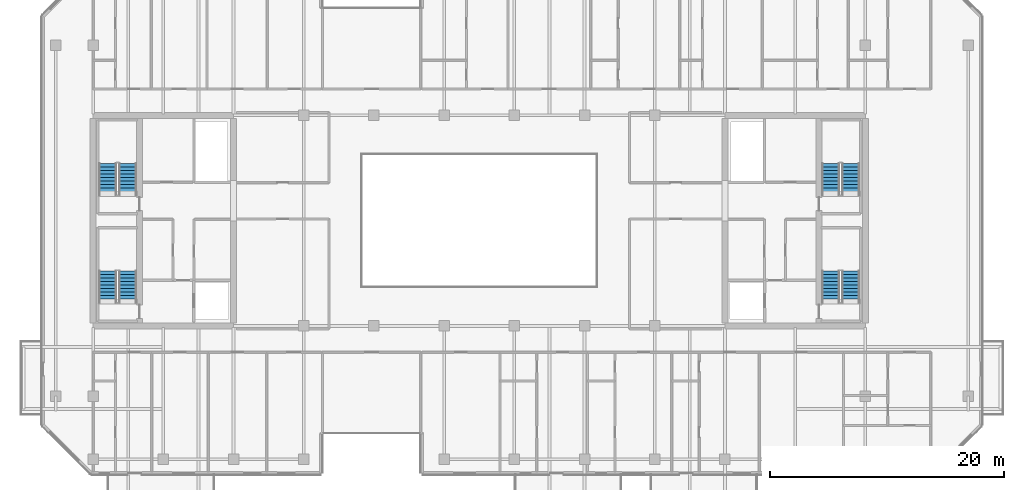
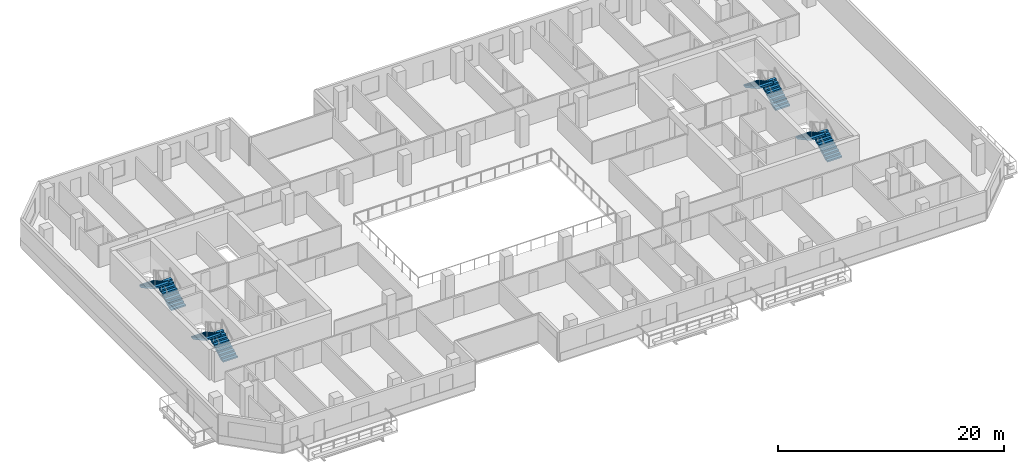
# One storey, part 15 of 19: 8 stair flights, 4 elements without a shape of their own.
"""IFC4 building model written with IfcOpenShell, lengths in metres."""

import ifcopenshell
import ifcopenshell.guid

model = None  # the IFC model being written
_history = None  # IfcOwnerHistory: only IFC2X3 demands one
_inside = {}  # id of a spatial element -> (the spatial element, [elements in it])
_under = {}  # id of a project, library or spatial element -> (it, [spatial elements below it])
_declared = {}  # id of a project -> (the project, [libraries it declares])
_typed = {}  # id of a type object -> (the type object, [elements of that type])
_made_of = {}  # id of a material, layer set ... -> (it, [elements and type objects made of it])


def new_model(schema):
    """Start an empty IFC model of exactly this schema.

    Asked for "IFC4X3", IfcOpenShell would pick the latest addendum, in which some entities
    have other attributes; the version numbers below select the first issue.
    IFC2X3 requires an IfcOwnerHistory on every rooted entity: one is made here for all.
    """
    global model, _history
    if schema == "IFC4X3":
        model = ifcopenshell.file(schema_version=(4, 3, 0, 0))
    else:
        model = ifcopenshell.file(schema=schema)
    _inside.clear()
    _under.clear()
    _declared.clear()
    _typed.clear()
    _made_of.clear()
    _history = None
    if model.schema == "IFC2X3":
        org = make("IfcOrganization", Name="unknown")
        user = make(
            "IfcPersonAndOrganization",
            ThePerson=make("IfcPerson", FamilyName="unknown"),
            TheOrganization=org,
        )
        app = make(
            "IfcApplication",
            ApplicationDeveloper=org,
            Version="unknown",
            ApplicationFullName="unknown",
            ApplicationIdentifier="unknown",
        )
        _history = make(
            "IfcOwnerHistory",
            OwningUser=user,
            OwningApplication=app,
            ChangeAction="ADDED",
            CreationDate=0,
        )
    return model


def make(cls, **values):
    """One entity of the class cls with the attributes given. An attribute that is None is left unset."""
    return model.create_entity(
        cls, **{name: value for name, value in values.items() if value is not None}
    )


def rooted(cls, **values):
    """An entity with a GlobalId (a new one), such as an element, a storey or a relation."""
    return make(cls, GlobalId=ifcopenshell.guid.new(), OwnerHistory=_history, **values)


def si_unit(unit_type, name, prefix=None):
    """IfcSIUnit, for example si_unit("LENGTHUNIT", "METRE", prefix="MILLI")."""
    return make("IfcSIUnit", UnitType=unit_type, Prefix=prefix, Name=name)


def assignment(units):
    """IfcUnitAssignment: the units of a project."""
    return None if units is None else make("IfcUnitAssignment", Units=units)


def point(xyz):
    """IfcCartesianPoint."""
    return None if xyz is None else make("IfcCartesianPoint", Coordinates=xyz)


def direction(xyz):
    """IfcDirection."""
    return None if xyz is None else make("IfcDirection", DirectionRatios=xyz)


def frame(location, z_axis=None, x_axis=None):
    """IfcAxis2Placement3D, a coordinate frame: its origin and axes. An axis left out is left unset."""
    return make(
        "IfcAxis2Placement3D",
        Location=point(location),
        Axis=direction(z_axis),
        RefDirection=direction(x_axis),
    )


def origin():
    """The frame at (0, 0, 0) with its axes left unset."""
    return frame((0.0, 0.0, 0.0))


def place(relative_to, where):
    """IfcLocalPlacement: puts the frame where relative to a parent placement (None: the world)."""
    return make(
        "IfcLocalPlacement", PlacementRelTo=relative_to, RelativePlacement=where
    )


def context(
    kind, dimensions, precision=None, world=None, true_north=None, identifier=None
):
    """IfcGeometricRepresentationContext, for example the 3D "Model" context."""
    return make(
        "IfcGeometricRepresentationContext",
        ContextIdentifier=identifier,
        ContextType=kind,
        CoordinateSpaceDimension=dimensions,
        Precision=precision,
        WorldCoordinateSystem=world,
        TrueNorth=true_north,
    )


def subcontext(parent, identifier, kind, view, scale=None):
    """IfcGeometricRepresentationSubContext, for example "Body" below "Model"."""
    return make(
        "IfcGeometricRepresentationSubContext",
        ContextIdentifier=identifier,
        ContextType=kind,
        ParentContext=parent,
        TargetScale=scale,
        TargetView=view,
    )


def project(units=None, contexts=None):
    """IfcProject with its units and contexts."""
    return rooted(
        "IfcProject",
        Name="project",
        RepresentationContexts=contexts,
        UnitsInContext=assignment(units),
    )


def spatial(cls, under=None, at=None, **own):
    """A site, building, storey or space (cls), placed at a placement, below another one or the project."""
    s = rooted(cls, ObjectPlacement=at, **own)
    if under is not None:
        _under.setdefault(under.id(), (under, []))[1].append(s)
    return s


def polyline(points):
    """IfcPolyline through the points."""
    return make("IfcPolyline", Points=[point(p) for p in points])


def outline(outer, holes=None, kind="AREA"):
    """IfcArbitraryClosedProfileDef: a profile drawn as a closed curve; with holes, ...WithVoids."""
    if holes is None:
        return make("IfcArbitraryClosedProfileDef", ProfileType=kind, OuterCurve=outer)
    return make(
        "IfcArbitraryProfileDefWithVoids",
        ProfileType=kind,
        OuterCurve=outer,
        InnerCurves=holes,
    )


def extrude(swept, where, along, depth):
    """IfcExtrudedAreaSolid: the profile swept, set in the frame where, extruded along a direction by depth."""
    return make(
        "IfcExtrudedAreaSolid",
        SweptArea=swept,
        Position=where,
        ExtrudedDirection=direction(along),
        Depth=depth,
    )


def shape(context_of_items, identifier, shape_type, items):
    """IfcShapeRepresentation: the items that make up one representation, for example the "Body"."""
    return make(
        "IfcShapeRepresentation",
        ContextOfItems=context_of_items,
        RepresentationIdentifier=identifier,
        RepresentationType=shape_type,
        Items=items,
    )


def material(Name=None, Category=None):
    """IfcMaterial."""
    return make("IfcMaterial", Name=Name, Category=Category)


def made_of(thing, what):
    """Note that an element or type object is made of a material, layer set ...; save() writes the relation."""
    if what is not None:
        _made_of.setdefault(what.id(), (what, []))[1].append(thing)
    return thing


def type_object(cls, material=None, **own):
    """A type object (cls), such as IfcWallType, which elements share."""
    return made_of(rooted(cls, **own), material)


def element(
    cls,
    number,
    at=None,
    inside=None,
    cuts=None,
    type_object=None,
    material=None,
    context=None,
    identifier="Body",
    shape_type=None,
    held_by="IfcProductDefinitionShape",
    body=None,
    shapes=None,
    **own,
):
    """One element of the class cls, such as IfcWall. Its Tag is "e" and its number.

    at: its placement. inside: the storey or other place that contains it. cuts: it is an
    opening in that element (IfcRelVoidsElement). A single representation is given by context,
    identifier, shape_type and body (its items); several are given by shapes. held_by: the class
    of the entity that holds the representations. save() writes the other relations.
    """
    e = rooted(cls, Tag="e%d" % number, ObjectPlacement=at, **own)
    if body is not None:
        shapes = [shape(context, identifier, shape_type, body)]
    if shapes is not None:
        e.Representation = make(held_by, Representations=shapes)
    if inside is not None:
        _inside.setdefault(inside.id(), (inside, []))[1].append(e)
    if cuts is not None:
        rooted(
            "IfcRelVoidsElement", RelatingBuildingElement=cuts, RelatedOpeningElement=e
        )
    if type_object is not None:
        _typed.setdefault(type_object.id(), (type_object, []))[1].append(e)
    return made_of(e, material)


def aggregate(whole, parts):
    """IfcRelAggregates: a whole, such as a stair, and the parts it consists of."""
    return rooted("IfcRelAggregates", RelatingObject=whole, RelatedObjects=parts)


def save(model, path):
    """Write the relations noted so far, then the file.

    IfcRelAggregates (storeys below a building ...), IfcRelContainedInSpatialStructure (elements
    in a storey), IfcRelDefinesByType, IfcRelAssociatesMaterial and IfcRelDeclares: one each for
    every whole, place, type object, material and project.
    """
    for whole, parts in _under.values():
        aggregate(whole, parts)
    for where, things in _inside.values():
        rooted(
            "IfcRelContainedInSpatialStructure",
            RelatedElements=things,
            RelatingStructure=where,
        )
    for kind, things in _typed.values():
        rooted("IfcRelDefinesByType", RelatedObjects=things, RelatingType=kind)
    for what, things in _made_of.values():
        rooted("IfcRelAssociatesMaterial", RelatedObjects=things, RelatingMaterial=what)
    for by, libraries in _declared.values():
        rooted("IfcRelDeclares", RelatingContext=by, RelatedDefinitions=libraries)
    model.write(path)


model = new_model("IFC4")

# Units and contexts
model_context = context("Model", 3, precision=1e-05, world=origin(), true_north=direction((0.0, 1.0)))
body_context = subcontext(model_context, "Body", "Model", "MODEL_VIEW")
ifc_project = project(units=[si_unit("LENGTHUNIT", "METRE"), si_unit("AREAUNIT", "SQUARE_METRE"), si_unit("VOLUMEUNIT", "CUBIC_METRE"), si_unit("PLANEANGLEUNIT", "RADIAN"), si_unit("MASSUNIT", "GRAM", prefix="KILO")], contexts=[model_context])

# Site, building, storey
site_placement = place(None, origin())
site = spatial("IfcSite", under=ifc_project, at=site_placement, CompositionType="ELEMENT")
building_placement = place(site_placement, origin())
building = spatial("IfcBuilding", under=site, at=building_placement, Name="Tanjung Sevakor Pilgrim Tower", CompositionType="ELEMENT")
storey_placement = place(building_placement, frame((0.0, 0.0, 138.60009765625)))
storey = spatial("IfcBuildingStorey", under=building, at=storey_placement, Name="L38", CompositionType="ELEMENT", Elevation=138.60009765625)

# Stair, stair flights
ifc_material_1 = material(Name="Concrete C40/50", Category="concrete")
stair_type = type_object("IfcStairType", Name="STAIR-ST-CR150", PredefinedType="HALF_TURN_STAIR", material=ifc_material_1)
stair_1_placement = place(storey_placement, origin())
stair_1 = element("IfcStair", 1, at=stair_1_placement, inside=storey, type_object=stair_type, Name="L38 West Core Exit Stair 1", PredefinedType="HALF_TURN_STAIR")
ifc_material_2 = material(Name="Concrete C40/50", Category="concrete")
stair_flight_type = type_object("IfcStairFlightType", Name="FLIGHT-ST-CR150", PredefinedType="STRAIGHT", material=ifc_material_2)
stair_flight_1_placement = place(storey_placement, frame((26.949951171875, 26.60009765625, 0.0), z_axis=(0.0, 0.0, 1.0), x_axis=(0.0, 1.0, 0.0)))
stair_flight_1 = element("IfcStairFlight", 2, at=stair_flight_1_placement, type_object=stair_flight_type, Name="TS-W1 flight 1", NumberOfRisers=10, NumberOfTreads=9, PredefinedType="STRAIGHT", RiserHeight=0.165, TreadLength=0.3, context=body_context, shape_type="SweptSolid", body=[
    extrude(outline(polyline([(0.0, 0.0), (0.0, 0.1650390625), (0.300048828125, 0.1650390625), (0.300048828125, 0.330078125), (0.60009765625, 0.330078125), (0.60009765625, 0.4951171875), (0.89990234375, 0.4951171875), (0.89990234375, 0.659912109375), (1.199951171875, 0.659912109375), (1.199951171875, 0.824951171875), (1.5, 0.824951171875), (1.5, 0.989990234375), (1.800048828125, 0.989990234375), (1.800048828125, 1.155029296875), (2.10009765625, 1.155029296875), (2.10009765625, 1.320068359375), (2.39990234375, 1.320068359375), (2.39990234375, 1.485107421875), (2.699951171875, 1.485107421875), (2.699951171875, 1.64990234375), (2.699951171875, 1.302490234375), (0.331787109375, 0.0), (0.0, 0.0)])), frame((0.0, 0.75, 0.0), z_axis=(0.0, -1.0, 0.0), x_axis=(1.0, 0.0, 0.0)), (0.0, 0.0, 1.0), 1.5),
])
stair_flight_2_placement = place(storey_placement, frame((25.25, 29.300048828125, 1.64990234375), z_axis=(0.0, 0.0, 1.0), x_axis=(0.0, -1.0, 0.0)))
stair_flight_2 = element("IfcStairFlight", 3, at=stair_flight_2_placement, type_object=stair_flight_type, Name="TS-W1 flight 2", NumberOfRisers=10, NumberOfTreads=9, PredefinedType="STRAIGHT", RiserHeight=0.165, TreadLength=0.3, context=body_context, shape_type="SweptSolid", body=[
    extrude(outline(polyline([(0.0, 0.0), (0.0, 0.1650390625), (0.300048828125, 0.1650390625), (0.300048828125, 0.330078125), (0.60009765625, 0.330078125), (0.60009765625, 0.4951171875), (0.89990234375, 0.4951171875), (0.89990234375, 0.659912109375), (1.199951171875, 0.659912109375), (1.199951171875, 0.824951171875), (1.5, 0.824951171875), (1.5, 0.989990234375), (1.800048828125, 0.989990234375), (1.800048828125, 1.155029296875), (2.10009765625, 1.155029296875), (2.10009765625, 1.320068359375), (2.39990234375, 1.320068359375), (2.39990234375, 1.485107421875), (2.699951171875, 1.485107421875), (2.699951171875, 1.64990234375), (2.699951171875, 1.302490234375), (0.331787109375, 0.0), (0.0, 0.0)])), frame((0.0, 0.75, 0.0), z_axis=(0.0, -1.0, 0.0), x_axis=(1.0, 0.0, 0.0)), (0.0, 0.0, 1.0), 1.5),
])
aggregate(stair_1, [stair_flight_1, stair_flight_2])

stair_2_placement = place(storey_placement, origin())
stair_2 = element("IfcStair", 4, at=stair_2_placement, inside=storey, type_object=stair_type, Name="L38 West Core Exit Stair 2", PredefinedType="HALF_TURN_STAIR")
stair_flight_3_placement = place(storey_placement, frame((26.949951171875, 35.800048828125, 0.0), z_axis=(0.0, 0.0, 1.0), x_axis=(0.0, 1.0, 0.0)))
stair_flight_3 = element("IfcStairFlight", 5, at=stair_flight_3_placement, type_object=stair_flight_type, Name="TS-W2 flight 1", NumberOfRisers=10, NumberOfTreads=9, PredefinedType="STRAIGHT", RiserHeight=0.165, TreadLength=0.3, context=body_context, shape_type="SweptSolid", body=[
    extrude(outline(polyline([(0.0, 0.0), (0.0, 0.1650390625), (0.300048828125, 0.1650390625), (0.300048828125, 0.330078125), (0.60009765625, 0.330078125), (0.60009765625, 0.4951171875), (0.89990234375, 0.4951171875), (0.89990234375, 0.659912109375), (1.199951171875, 0.659912109375), (1.199951171875, 0.824951171875), (1.5, 0.824951171875), (1.5, 0.989990234375), (1.800048828125, 0.989990234375), (1.800048828125, 1.155029296875), (2.10009765625, 1.155029296875), (2.10009765625, 1.320068359375), (2.39990234375, 1.320068359375), (2.39990234375, 1.485107421875), (2.699951171875, 1.485107421875), (2.699951171875, 1.64990234375), (2.699951171875, 1.302490234375), (0.331787109375, 0.0), (0.0, 0.0)])), frame((0.0, 0.75, 0.0), z_axis=(0.0, -1.0, 0.0), x_axis=(1.0, 0.0, 0.0)), (0.0, 0.0, 1.0), 1.5),
])
stair_flight_4_placement = place(storey_placement, frame((25.25, 38.5, 1.64990234375), z_axis=(0.0, 0.0, 1.0), x_axis=(0.0, -1.0, 0.0)))
stair_flight_4 = element("IfcStairFlight", 6, at=stair_flight_4_placement, type_object=stair_flight_type, Name="TS-W2 flight 2", NumberOfRisers=10, NumberOfTreads=9, PredefinedType="STRAIGHT", RiserHeight=0.165, TreadLength=0.3, context=body_context, shape_type="SweptSolid", body=[
    extrude(outline(polyline([(0.0, 0.0), (0.0, 0.1650390625), (0.300048828125, 0.1650390625), (0.300048828125, 0.330078125), (0.60009765625, 0.330078125), (0.60009765625, 0.4951171875), (0.89990234375, 0.4951171875), (0.89990234375, 0.659912109375), (1.199951171875, 0.659912109375), (1.199951171875, 0.824951171875), (1.5, 0.824951171875), (1.5, 0.989990234375), (1.800048828125, 0.989990234375), (1.800048828125, 1.155029296875), (2.10009765625, 1.155029296875), (2.10009765625, 1.320068359375), (2.39990234375, 1.320068359375), (2.39990234375, 1.485107421875), (2.699951171875, 1.485107421875), (2.699951171875, 1.64990234375), (2.699951171875, 1.302490234375), (0.331787109375, 0.0), (0.0, 0.0)])), frame((0.0, 0.75, 0.0), z_axis=(0.0, -1.0, 0.0), x_axis=(1.0, 0.0, 0.0)), (0.0, 0.0, 1.0), 1.5),
])
aggregate(stair_2, [stair_flight_3, stair_flight_4])

stair_3_placement = place(storey_placement, origin())
stair_3 = element("IfcStair", 7, at=stair_3_placement, inside=storey, type_object=stair_type, Name="L38 East Core Exit Stair 1", PredefinedType="HALF_TURN_STAIR")
stair_flight_5_placement = place(storey_placement, frame((88.75, 26.60009765625, 0.0), z_axis=(0.0, 0.0, 1.0), x_axis=(0.0, 1.0, 0.0)))
stair_flight_5 = element("IfcStairFlight", 8, at=stair_flight_5_placement, type_object=stair_flight_type, Name="TS-E1 flight 1", NumberOfRisers=10, NumberOfTreads=9, PredefinedType="STRAIGHT", RiserHeight=0.165, TreadLength=0.3, context=body_context, shape_type="SweptSolid", body=[
    extrude(outline(polyline([(0.0, 0.0), (0.0, 0.1650390625), (0.300048828125, 0.1650390625), (0.300048828125, 0.330078125), (0.60009765625, 0.330078125), (0.60009765625, 0.4951171875), (0.89990234375, 0.4951171875), (0.89990234375, 0.659912109375), (1.199951171875, 0.659912109375), (1.199951171875, 0.824951171875), (1.5, 0.824951171875), (1.5, 0.989990234375), (1.800048828125, 0.989990234375), (1.800048828125, 1.155029296875), (2.10009765625, 1.155029296875), (2.10009765625, 1.320068359375), (2.39990234375, 1.320068359375), (2.39990234375, 1.485107421875), (2.699951171875, 1.485107421875), (2.699951171875, 1.64990234375), (2.699951171875, 1.302490234375), (0.331787109375, 0.0), (0.0, 0.0)])), frame((0.0, 0.75, 0.0), z_axis=(0.0, -1.0, 0.0), x_axis=(1.0, 0.0, 0.0)), (0.0, 0.0, 1.0), 1.5),
])
stair_flight_6_placement = place(storey_placement, frame((87.050048828125, 29.300048828125, 1.64990234375), z_axis=(0.0, 0.0, 1.0), x_axis=(0.0, -1.0, 0.0)))
stair_flight_6 = element("IfcStairFlight", 9, at=stair_flight_6_placement, type_object=stair_flight_type, Name="TS-E1 flight 2", NumberOfRisers=10, NumberOfTreads=9, PredefinedType="STRAIGHT", RiserHeight=0.165, TreadLength=0.3, context=body_context, shape_type="SweptSolid", body=[
    extrude(outline(polyline([(0.0, 0.0), (0.0, 0.1650390625), (0.300048828125, 0.1650390625), (0.300048828125, 0.330078125), (0.60009765625, 0.330078125), (0.60009765625, 0.4951171875), (0.89990234375, 0.4951171875), (0.89990234375, 0.659912109375), (1.199951171875, 0.659912109375), (1.199951171875, 0.824951171875), (1.5, 0.824951171875), (1.5, 0.989990234375), (1.800048828125, 0.989990234375), (1.800048828125, 1.155029296875), (2.10009765625, 1.155029296875), (2.10009765625, 1.320068359375), (2.39990234375, 1.320068359375), (2.39990234375, 1.485107421875), (2.699951171875, 1.485107421875), (2.699951171875, 1.64990234375), (2.699951171875, 1.302490234375), (0.331787109375, 0.0), (0.0, 0.0)])), frame((0.0, 0.75, 0.0), z_axis=(0.0, -1.0, 0.0), x_axis=(1.0, 0.0, 0.0)), (0.0, 0.0, 1.0), 1.5),
])
aggregate(stair_3, [stair_flight_5, stair_flight_6])

stair_4_placement = place(storey_placement, origin())
stair_4 = element("IfcStair", 10, at=stair_4_placement, inside=storey, type_object=stair_type, Name="L38 East Core Exit Stair 2", PredefinedType="HALF_TURN_STAIR")
stair_flight_7_placement = place(storey_placement, frame((88.75, 35.800048828125, 0.0), z_axis=(0.0, 0.0, 1.0), x_axis=(0.0, 1.0, 0.0)))
stair_flight_7 = element("IfcStairFlight", 11, at=stair_flight_7_placement, type_object=stair_flight_type, Name="TS-E2 flight 1", NumberOfRisers=10, NumberOfTreads=9, PredefinedType="STRAIGHT", RiserHeight=0.165, TreadLength=0.3, context=body_context, shape_type="SweptSolid", body=[
    extrude(outline(polyline([(0.0, 0.0), (0.0, 0.1650390625), (0.300048828125, 0.1650390625), (0.300048828125, 0.330078125), (0.60009765625, 0.330078125), (0.60009765625, 0.4951171875), (0.89990234375, 0.4951171875), (0.89990234375, 0.659912109375), (1.199951171875, 0.659912109375), (1.199951171875, 0.824951171875), (1.5, 0.824951171875), (1.5, 0.989990234375), (1.800048828125, 0.989990234375), (1.800048828125, 1.155029296875), (2.10009765625, 1.155029296875), (2.10009765625, 1.320068359375), (2.39990234375, 1.320068359375), (2.39990234375, 1.485107421875), (2.699951171875, 1.485107421875), (2.699951171875, 1.64990234375), (2.699951171875, 1.302490234375), (0.331787109375, 0.0), (0.0, 0.0)])), frame((0.0, 0.75, 0.0), z_axis=(0.0, -1.0, 0.0), x_axis=(1.0, 0.0, 0.0)), (0.0, 0.0, 1.0), 1.5),
])
stair_flight_8_placement = place(storey_placement, frame((87.050048828125, 38.5, 1.64990234375), z_axis=(0.0, 0.0, 1.0), x_axis=(0.0, -1.0, 0.0)))
stair_flight_8 = element("IfcStairFlight", 12, at=stair_flight_8_placement, type_object=stair_flight_type, Name="TS-E2 flight 2", NumberOfRisers=10, NumberOfTreads=9, PredefinedType="STRAIGHT", RiserHeight=0.165, TreadLength=0.3, context=body_context, shape_type="SweptSolid", body=[
    extrude(outline(polyline([(0.0, 0.0), (0.0, 0.1650390625), (0.300048828125, 0.1650390625), (0.300048828125, 0.330078125), (0.60009765625, 0.330078125), (0.60009765625, 0.4951171875), (0.89990234375, 0.4951171875), (0.89990234375, 0.659912109375), (1.199951171875, 0.659912109375), (1.199951171875, 0.824951171875), (1.5, 0.824951171875), (1.5, 0.989990234375), (1.800048828125, 0.989990234375), (1.800048828125, 1.155029296875), (2.10009765625, 1.155029296875), (2.10009765625, 1.320068359375), (2.39990234375, 1.320068359375), (2.39990234375, 1.485107421875), (2.699951171875, 1.485107421875), (2.699951171875, 1.64990234375), (2.699951171875, 1.302490234375), (0.331787109375, 0.0), (0.0, 0.0)])), frame((0.0, 0.75, 0.0), z_axis=(0.0, -1.0, 0.0), x_axis=(1.0, 0.0, 0.0)), (0.0, 0.0, 1.0), 1.5),
])
aggregate(stair_4, [stair_flight_7, stair_flight_8])

save(model, "model.ifc")
